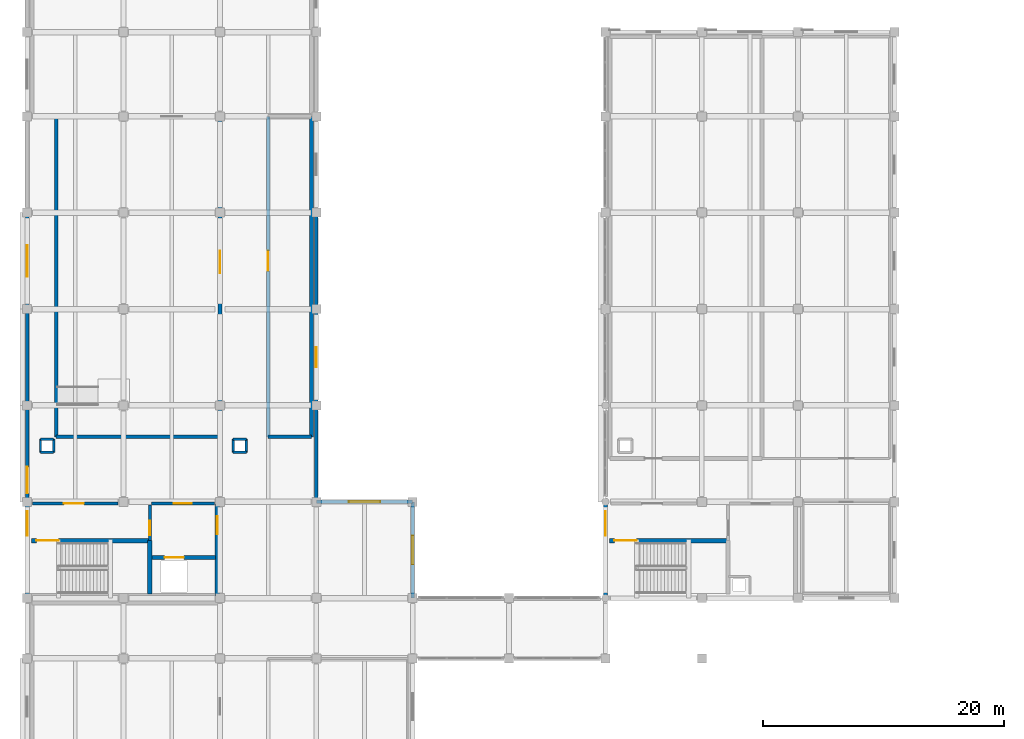
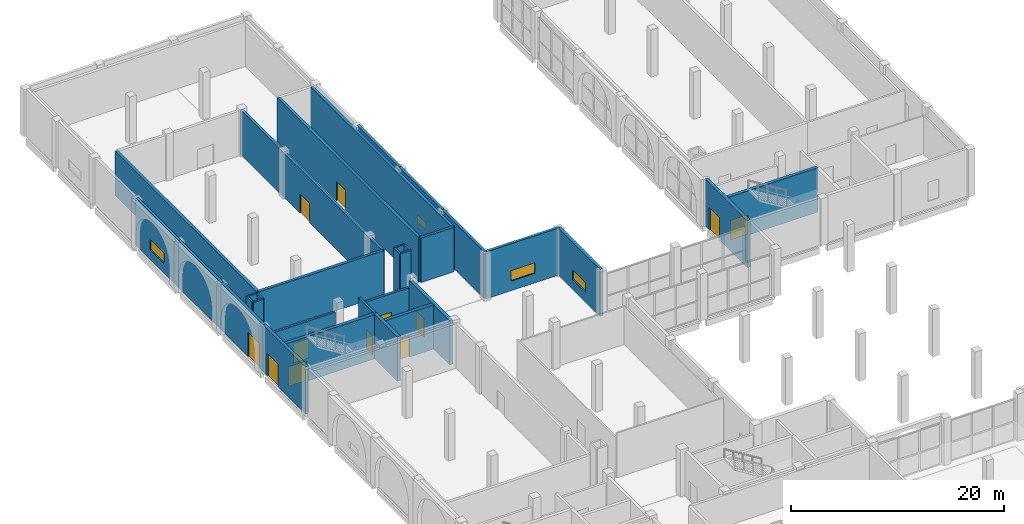
# One storey, part 21 of 40: 32 walls, 12 doors, 4 windows, 16 openings.
"""IFC4 building model written with IfcOpenShell, lengths in metres."""

from ifc_helpers import new_model, si_unit, direction, frame, frame_2d, origin, place, context, subcontext, project, spatial, rectangle, extrude, material, layer, layer_set, type_object, element, fill, save


model = new_model("IFC4")

# Units and contexts
model_context = context("Model", 3, precision=1e-05, world=origin(), true_north=direction((0.0, 1.0)))
body_context = subcontext(model_context, "Body", "Model", "MODEL_VIEW")
ifc_project = project(units=[si_unit("LENGTHUNIT", "METRE"), si_unit("AREAUNIT", "SQUARE_METRE"), si_unit("VOLUMEUNIT", "CUBIC_METRE"), si_unit("PLANEANGLEUNIT", "RADIAN"), si_unit("MASSUNIT", "GRAM", prefix="KILO")], contexts=[model_context])

# Site, building, storey
site_placement = place(None, origin())
site = spatial("IfcSite", under=ifc_project, at=site_placement, CompositionType="ELEMENT")
building_placement = place(site_placement, origin())
building = spatial("IfcBuilding", under=site, at=building_placement, Name="Qorikala Patio Media Centre", CompositionType="ELEMENT")
storey_placement = place(building_placement, origin())
storey = spatial("IfcBuildingStorey", under=building, at=storey_placement, Name="L00", CompositionType="ELEMENT", Elevation=0.0)

# Wall
ifc_material_1 = material(Name="Concrete C35/45", Category="concrete")
ifc_layer_1 = layer(ifc_material_1, 0.300048828125)
ifc_layer_set_1 = layer_set([ifc_layer_1], Name="Concrete C35/45")
wall_type_1 = type_object("IfcWallType", Name="WL-AC-300", PredefinedType="SHEAR", material=ifc_layer_set_1)
wall_1_placement = place(storey_placement, frame((5.39990234375, 77.39990234375, 0.0), z_axis=(0.0, 0.0, 1.0), x_axis=(1.0, 0.0, 0.0)))
element("IfcWall", 1, at=wall_1_placement, inside=storey, type_object=wall_type_1, Name="L00 Interior Wall WINT-L00-BST1-S", PredefinedType="SHEAR", context=body_context, shape_type="SweptSolid", body=[
    extrude(rectangle(XDim=13.60009765625, YDim=0.300048828125, at=frame_2d((6.800048828125, 0.0))), origin(), (0.0, 0.0, 1.0), 5.10009765625),
])

# Wall, opening, door
wall_2_placement = place(storey_placement, frame((19.0, 77.39990234375, 0.0), z_axis=(0.0, 0.0, 1.0), x_axis=(0.0, 1.0, 0.0)))
wall_2 = element("IfcWall", 2, at=wall_2_placement, inside=storey, type_object=wall_type_1, Name="L00 Interior Wall WINT-L00-BST1-E", PredefinedType="SHEAR", context=body_context, shape_type="SweptSolid", body=[
    extrude(rectangle(XDim=26.60009765625, YDim=0.300048828125, at=frame_2d((13.300048828125, 0.0))), origin(), (0.0, 0.0, 1.0), 5.10009765625),
])
opening_1_placement = place(wall_2_placement, frame((13.577880859375, 0.0, 0.0)))
opening_1 = element("IfcOpeningElement", 3, at=opening_1_placement, cuts=wall_2, Name="Opening D243", PredefinedType="OPENING", context=body_context, shape_type="SweptSolid", body=[
    extrude(rectangle(XDim=1.85009765625, YDim=2.25, at=frame_2d((0.925048828125, 1.125))), frame((0.0, 0.159912109375, 0.0), z_axis=(0.0, -1.0, 0.0), x_axis=(1.0, 0.0, 0.0)), (0.0, 0.0, 1.0), 0.320068359375),
])
ifc_material_2 = material(Name="Powder-Coated Acoustic Fire Steel", Category="steel")
door_type_1 = type_object("IfcDoorType", Name="DR-FD60-185X225", OperationType="DOUBLE_DOOR_SINGLE_SWING", PredefinedType="DOOR", material=ifc_material_2)
door_1_placement = place(opening_1_placement, origin())
door_1 = element("IfcDoor", 4, at=door_1_placement, inside=storey, type_object=door_type_1, Name="Live Broadcast Studio 1 Door 032", OperationType="DOUBLE_DOOR_SINGLE_SWING", OverallHeight=2.25, OverallWidth=1.85009765625, PredefinedType="DOOR", context=body_context, shape_type="SweptSolid", body=[
    extrude(rectangle(XDim=1.85009765625, YDim=2.25, at=frame_2d((0.925048828125, 1.125))), frame((0.0, 0.02490234375, 0.0), z_axis=(0.0, -1.0, 0.0), x_axis=(1.0, 0.0, 0.0)), (0.0, 0.0, 1.0), 0.050048828125),
])
fill(opening_1, door_1)

# Walls
wall_3_placement = place(storey_placement, frame((5.39990234375, 77.39990234375, 0.0), z_axis=(0.0, 0.0, 1.0), x_axis=(0.0, 1.0, 0.0)))
element("IfcWall", 5, at=wall_3_placement, inside=storey, type_object=wall_type_1, Name="L00 Interior Wall WINT-L00-BST1-W", PredefinedType="SHEAR", context=body_context, shape_type="SweptSolid", body=[
    extrude(rectangle(XDim=26.60009765625, YDim=0.300048828125, at=frame_2d((13.300048828125, 0.0))), origin(), (0.0, 0.0, 1.0), 5.10009765625),
])
wall_4_placement = place(storey_placement, frame((23.0, 77.39990234375, 0.0), z_axis=(0.0, 0.0, 1.0), x_axis=(1.0, 0.0, 0.0)))
element("IfcWall", 6, at=wall_4_placement, inside=storey, type_object=wall_type_1, Name="L00 Interior Wall WINT-L00-MCR1-S", PredefinedType="SHEAR", context=body_context, shape_type="SweptSolid", body=[
    extrude(rectangle(XDim=3.60009765625, YDim=0.300048828125, at=frame_2d((1.800048828125, 0.0))), origin(), (0.0, 0.0, 1.0), 5.10009765625),
])
wall_5_placement = place(storey_placement, frame((26.60009765625, 77.39990234375, 0.0), z_axis=(0.0, 0.0, 1.0), x_axis=(0.0, 1.0, 0.0)))
element("IfcWall", 7, at=wall_5_placement, inside=storey, type_object=wall_type_1, Name="L00 Interior Wall WINT-L00-MCR1-E", PredefinedType="SHEAR", context=body_context, shape_type="SweptSolid", body=[
    extrude(rectangle(XDim=26.60009765625, YDim=0.300048828125, at=frame_2d((13.300048828125, 0.0))), origin(), (0.0, 0.0, 1.0), 5.10009765625),
])

# Wall, opening, door
wall_6_placement = place(storey_placement, frame((23.0, 77.39990234375, 0.0), z_axis=(0.0, 0.0, 1.0), x_axis=(0.0, 1.0, 0.0)))
wall_6 = element("IfcWall", 8, at=wall_6_placement, inside=storey, type_object=wall_type_1, Name="L00 Interior Wall WINT-L00-MCR1-W", PredefinedType="SHEAR", context=body_context, shape_type="SweptSolid", body=[
    extrude(rectangle(XDim=26.60009765625, YDim=0.300048828125, at=frame_2d((13.300048828125, 0.0))), origin(), (0.0, 0.0, 1.0), 5.10009765625),
])
opening_2_placement = place(wall_6_placement, frame((13.782958984375, 0.0, 0.0)))
opening_2 = element("IfcOpeningElement", 9, at=opening_2_placement, cuts=wall_6, Name="Opening D245", PredefinedType="OPENING", context=body_context, shape_type="SweptSolid", body=[
    extrude(rectangle(XDim=1.64990234375, YDim=2.25, at=frame_2d((0.824951171875, 1.125))), frame((0.0, 0.159912109375, 0.0), z_axis=(0.0, -1.0, 0.0), x_axis=(1.0, 0.0, 0.0)), (0.0, 0.0, 1.0), 0.320068359375),
])
door_type_2 = type_object("IfcDoorType", Name="DR-FD60-165X225", OperationType="DOUBLE_DOOR_SINGLE_SWING", PredefinedType="DOOR", material=ifc_material_2)
door_2_placement = place(opening_2_placement, origin())
door_2 = element("IfcDoor", 10, at=door_2_placement, inside=storey, type_object=door_type_2, Name="Master Broadcast Control Room 1 Door 034", OperationType="DOUBLE_DOOR_SINGLE_SWING", OverallHeight=2.25, OverallWidth=1.64990234375, PredefinedType="DOOR", context=body_context, shape_type="SweptSolid", body=[
    extrude(rectangle(XDim=1.64990234375, YDim=2.25, at=frame_2d((0.824951171875, 1.125))), frame((0.0, 0.02490234375, 0.0), z_axis=(0.0, -1.0, 0.0), x_axis=(1.0, 0.0, 0.0)), (0.0, 0.0, 1.0), 0.050048828125),
])
fill(opening_2, door_2)

ifc_layer_2 = layer(ifc_material_1, 0.35009765625)
ifc_layer_set_2 = layer_set([ifc_layer_2], Name="Concrete C35/45")
wall_type_2 = type_object("IfcWallType", Name="WL-CORE-350", PredefinedType="SHEAR", material=ifc_layer_set_2)
wall_7_placement = place(storey_placement, frame((3.0, 64.0, 0.0), z_axis=(0.0, 0.0, 1.0), x_axis=(0.0, 1.0, 0.0)))
wall_7 = element("IfcWall", 11, at=wall_7_placement, inside=storey, type_object=wall_type_2, Name="L00 Core C3 Exterior Shear Wall", PredefinedType="SHEAR", context=body_context, shape_type="SweptSolid", body=[
    extrude(rectangle(XDim=8.0, YDim=0.35009765625, at=frame_2d((4.0, 0.0))), origin(), (0.0, 0.0, 1.0), 5.39990234375),
])
opening_3_placement = place(wall_7_placement, frame((5.199951171875, 0.0, 0.0)))
opening_3 = element("IfcOpeningElement", 12, at=opening_3_placement, cuts=wall_7, Name="Opening D015", PredefinedType="OPENING", context=body_context, shape_type="SweptSolid", body=[
    extrude(rectangle(XDim=2.0, YDim=2.60009765625, at=frame_2d((1.0, 1.300048828125))), frame((0.0, 0.18505859375, 0.0), z_axis=(0.0, -1.0, 0.0), x_axis=(1.0, 0.0, 0.0)), (0.0, 0.0, 1.0), 0.3701171875),
])
ifc_material_3 = material(Name="Bronze Anodised Steel and Glass", Category="steel")
door_type_3 = type_object("IfcDoorType", Name="DR-EX-200X260", OperationType="DOUBLE_DOOR_SINGLE_SWING", PredefinedType="DOOR", material=ifc_material_3)
door_3_placement = place(opening_3_placement, origin())
door_3 = element("IfcDoor", 13, at=door_3_placement, inside=storey, type_object=door_type_3, Name="Pedestrian Final Exit Door EX-15 (ST-3)", OperationType="DOUBLE_DOOR_SINGLE_SWING", OverallHeight=2.60009765625, OverallWidth=2.0, PredefinedType="DOOR", context=body_context, shape_type="SweptSolid", body=[
    extrude(rectangle(XDim=2.0, YDim=2.60009765625, at=frame_2d((1.0, 1.300048828125))), frame((0.0, 0.02490234375, 0.0), z_axis=(0.0, -1.0, 0.0), x_axis=(1.0, 0.0, 0.0)), (0.0, 0.0, 1.0), 0.050048828125),
])
fill(opening_3, door_3)

wall_8_placement = place(storey_placement, frame((51.0, 64.0, 0.0), z_axis=(0.0, 0.0, 1.0), x_axis=(0.0, 1.0, 0.0)))
wall_8 = element("IfcWall", 14, at=wall_8_placement, inside=storey, type_object=wall_type_2, Name="L00 Core C6 Exterior Shear Wall", PredefinedType="SHEAR", context=body_context, shape_type="SweptSolid", body=[
    extrude(rectangle(XDim=8.0, YDim=0.35009765625, at=frame_2d((4.0, 0.0))), origin(), (0.0, 0.0, 1.0), 5.39990234375),
])
opening_4_placement = place(wall_8_placement, frame((5.199951171875, 0.0, 0.0)))
opening_4 = element("IfcOpeningElement", 15, at=opening_4_placement, cuts=wall_8, Name="Opening D019", PredefinedType="OPENING", context=body_context, shape_type="SweptSolid", body=[
    extrude(rectangle(XDim=2.0, YDim=2.60009765625, at=frame_2d((1.0, 1.300048828125))), frame((0.0, 0.18505859375, 0.0), z_axis=(0.0, -1.0, 0.0), x_axis=(1.0, 0.0, 0.0)), (0.0, 0.0, 1.0), 0.3701171875),
])
door_4_placement = place(opening_4_placement, origin())
door_4 = element("IfcDoor", 16, at=door_4_placement, inside=storey, type_object=door_type_3, Name="Pedestrian Final Exit Door EX-19 (ST-6)", OperationType="DOUBLE_DOOR_SINGLE_SWING", OverallHeight=2.60009765625, OverallWidth=2.0, PredefinedType="DOOR", context=body_context, shape_type="SweptSolid", body=[
    extrude(rectangle(XDim=2.0, YDim=2.60009765625, at=frame_2d((1.0, 1.300048828125))), frame((0.0, 0.02490234375, 0.0), z_axis=(0.0, -1.0, 0.0), x_axis=(1.0, 0.0, 0.0)), (0.0, 0.0, 1.0), 0.050048828125),
])
fill(opening_4, door_4)

# Wall
wall_9_placement = place(storey_placement, frame((13.175048828125, 64.35009765625, 0.0), z_axis=(0.0, 0.0, 1.0), x_axis=(0.0, 1.0, 0.0)))
element("IfcWall", 17, at=wall_9_placement, inside=storey, type_object=wall_type_2, Name="L00 Interior Wall CW-L00-C3-SE", PredefinedType="SHEAR", context=body_context, shape_type="SweptSolid", body=[
    extrude(rectangle(XDim=4.4248046875, YDim=0.35009765625, at=frame_2d((2.21240234375, 0.0))), origin(), (0.0, 0.0, 1.0), 5.10009765625),
])

# Wall, opening, door
wall_10_placement = place(storey_placement, frame((18.77490234375, 64.199951171875, 0.0), z_axis=(0.0, 0.0, 1.0), x_axis=(0.0, 1.0, 0.0)))
wall_10 = element("IfcWall", 18, at=wall_10_placement, inside=storey, type_object=wall_type_2, Name="L00 Interior Wall CW-L00-C3-EE", PredefinedType="SHEAR", context=body_context, shape_type="SweptSolid", body=[
    extrude(rectangle(XDim=7.60009765625, YDim=0.35009765625, at=frame_2d((3.800048828125, 0.0))), origin(), (0.0, 0.0, 1.0), 5.10009765625),
])
opening_5_placement = place(wall_10_placement, frame((5.10009765625, 0.0, 0.0)))
opening_5 = element("IfcOpeningElement", 19, at=opening_5_placement, cuts=wall_10, Name="Opening D100", PredefinedType="OPENING", context=body_context, shape_type="SweptSolid", body=[
    extrude(rectangle(XDim=1.5, YDim=2.199951171875, at=frame_2d((0.75, 1.10009765625))), frame((0.0, 0.18505859375, 0.0), z_axis=(0.0, -1.0, 0.0), x_axis=(1.0, 0.0, 0.0)), (0.0, 0.0, 1.0), 0.3701171875),
])
door_type_4 = type_object("IfcDoorType", Name="DR-FD60-150X220", OperationType="DOUBLE_DOOR_SINGLE_SWING", PredefinedType="DOOR", material=ifc_material_2)
door_5_placement = place(opening_5_placement, origin())
door_5 = element("IfcDoor", 20, at=door_5_placement, inside=storey, type_object=door_type_4, Name="L00 Core C3 East Corridor Fire Door", OperationType="DOUBLE_DOOR_SINGLE_SWING", OverallHeight=2.199951171875, OverallWidth=1.5, PredefinedType="DOOR", context=body_context, shape_type="SweptSolid", body=[
    extrude(rectangle(XDim=1.5, YDim=2.199951171875, at=frame_2d((0.75, 1.10009765625))), frame((0.0, 0.02490234375, 0.0), z_axis=(0.0, -1.0, 0.0), x_axis=(1.0, 0.0, 0.0)), (0.0, 0.0, 1.0), 0.050048828125),
])
fill(opening_5, door_5)

wall_11_placement = place(storey_placement, frame((3.35009765625, 68.77490234375, 0.0), z_axis=(0.0, 0.0, 1.0), x_axis=(1.0, 0.0, 0.0)))
wall_11 = element("IfcWall", 21, at=wall_11_placement, inside=storey, type_object=wall_type_2, Name="L00 Interior Wall CW-L00-C3-SN", PredefinedType="SHEAR", context=body_context, shape_type="SweptSolid", body=[
    extrude(rectangle(XDim=9.824951171875, YDim=0.35009765625, at=frame_2d((4.91259765625, 0.0))), origin(), (0.0, 0.0, 1.0), 5.10009765625),
])
opening_6_placement = place(wall_11_placement, frame((0.39990234375, 0.0, 0.0)))
opening_6 = element("IfcOpeningElement", 22, at=opening_6_placement, cuts=wall_11, Name="Opening D096", PredefinedType="OPENING", context=body_context, shape_type="SweptSolid", body=[
    extrude(rectangle(XDim=1.85009765625, YDim=2.25, at=frame_2d((0.925048828125, 1.125))), frame((0.0, 0.18505859375, 0.0), z_axis=(0.0, -1.0, 0.0), x_axis=(1.0, 0.0, 0.0)), (0.0, 0.0, 1.0), 0.3701171875),
])
door_6_placement = place(opening_6_placement, frame((1.85009765625, 0.0, 0.0), z_axis=(0.0, 0.0, 1.0), x_axis=(-1.0, 0.0, 0.0)))
door_6 = element("IfcDoor", 23, at=door_6_placement, inside=storey, type_object=door_type_1, Name="L00 Stair ST-3 Fire Door", OperationType="DOUBLE_DOOR_SINGLE_SWING", OverallHeight=2.25, OverallWidth=1.85009765625, PredefinedType="DOOR", context=body_context, shape_type="SweptSolid", body=[
    extrude(rectangle(XDim=1.85009765625, YDim=2.25, at=frame_2d((0.925048828125, 1.125))), frame((0.0, 0.02490234375, 0.0), z_axis=(0.0, -1.0, 0.0), x_axis=(1.0, 0.0, 0.0)), (0.0, 0.0, 1.0), 0.050048828125),
])
fill(opening_6, door_6)

wall_12_placement = place(storey_placement, frame((13.175048828125, 67.375, 0.0), z_axis=(0.0, 0.0, 1.0), x_axis=(1.0, 0.0, 0.0)))
wall_12 = element("IfcWall", 24, at=wall_12_placement, inside=storey, type_object=wall_type_2, Name="L00 Interior Wall CW-L00-C3-LFN", PredefinedType="SHEAR", context=body_context, shape_type="SweptSolid", body=[
    extrude(rectangle(XDim=5.474853515625, YDim=0.35009765625, at=frame_2d((2.7373046875, 0.0))), origin(), (0.0, 0.0, 1.0), 5.10009765625),
])
opening_7_placement = place(wall_12_placement, frame((1.22509765625, 0.0, 0.0)))
opening_7 = element("IfcOpeningElement", 25, at=opening_7_placement, cuts=wall_12, Name="Opening LD25", PredefinedType="OPENING", context=body_context, shape_type="SweptSolid", body=[
    extrude(rectangle(XDim=1.60009765625, YDim=2.39990234375, at=frame_2d((0.800048828125, 1.199951171875))), frame((0.0, 0.18505859375, 0.0), z_axis=(0.0, -1.0, 0.0), x_axis=(1.0, 0.0, 0.0)), (0.0, 0.0, 1.0), 0.3701171875),
])
ifc_material_4 = material(Name="Heavy Stainless Steel Freight", Category="steel")
door_type_5 = type_object("IfcDoorType", Name="DR-LD-160X240", OperationType="DOUBLE_DOOR_SLIDING", PredefinedType="DOOR", material=ifc_material_4)
door_7_placement = place(opening_7_placement, origin())
door_7 = element("IfcDoor", 26, at=door_7_placement, inside=storey, type_object=door_type_5, Name="L00 Lift LS-01 Sliding Landing Door", OperationType="DOUBLE_DOOR_SLIDING", OverallHeight=2.39990234375, OverallWidth=1.60009765625, PredefinedType="DOOR", context=body_context, shape_type="SweptSolid", body=[
    extrude(rectangle(XDim=1.60009765625, YDim=2.39990234375, at=frame_2d((0.800048828125, 1.199951171875))), frame((0.0, 0.02490234375, 0.0), z_axis=(0.0, -1.0, 0.0), x_axis=(1.0, 0.0, 0.0)), (0.0, 0.0, 1.0), 0.050048828125),
])
fill(opening_7, door_7)

wall_13_placement = place(storey_placement, frame((51.35009765625, 68.77490234375, 0.0), z_axis=(0.0, 0.0, 1.0), x_axis=(1.0, 0.0, 0.0)))
wall_13 = element("IfcWall", 27, at=wall_13_placement, inside=storey, type_object=wall_type_2, Name="L00 Interior Wall CW-L00-C6-SN", PredefinedType="SHEAR", context=body_context, shape_type="SweptSolid", body=[
    extrude(rectangle(XDim=9.824951171875, YDim=0.35009765625, at=frame_2d((4.91259765625, 0.0))), origin(), (0.0, 0.0, 1.0), 5.10009765625),
])
opening_8_placement = place(wall_13_placement, frame((0.39990234375, 0.0, 0.0)))
opening_8 = element("IfcOpeningElement", 28, at=opening_8_placement, cuts=wall_13, Name="Opening D180", PredefinedType="OPENING", context=body_context, shape_type="SweptSolid", body=[
    extrude(rectangle(XDim=1.85009765625, YDim=2.25, at=frame_2d((0.925048828125, 1.125))), frame((0.0, 0.18505859375, 0.0), z_axis=(0.0, -1.0, 0.0), x_axis=(1.0, 0.0, 0.0)), (0.0, 0.0, 1.0), 0.3701171875),
])
door_8_placement = place(opening_8_placement, frame((1.85009765625, 0.0, 0.0), z_axis=(0.0, 0.0, 1.0), x_axis=(-1.0, 0.0, 0.0)))
door_8 = element("IfcDoor", 29, at=door_8_placement, inside=storey, type_object=door_type_1, Name="L00 Stair ST-6 Fire Door", OperationType="DOUBLE_DOOR_SINGLE_SWING", OverallHeight=2.25, OverallWidth=1.85009765625, PredefinedType="DOOR", context=body_context, shape_type="SweptSolid", body=[
    extrude(rectangle(XDim=1.85009765625, YDim=2.25, at=frame_2d((0.925048828125, 1.125))), frame((0.0, 0.02490234375, 0.0), z_axis=(0.0, -1.0, 0.0), x_axis=(1.0, 0.0, 0.0)), (0.0, 0.0, 1.0), 0.050048828125),
])
fill(opening_8, door_8)

# Wall, opening, window
ifc_material_5 = material(Name="Ivory Lime Stucco and Concrete C35/45", Category="concrete")
ifc_layer_3 = layer(ifc_material_5, 0.320068359375)
ifc_layer_set_3 = layer_set([ifc_layer_3], Name="Ivory Lime Stucco and Concrete C35/45")
wall_type_3 = type_object("IfcWallType", Name="WL-EXT-320", PredefinedType="SOLIDWALL", material=ifc_layer_set_3)
wall_14_placement = place(storey_placement, frame((35.0, 72.0, 0.0), z_axis=(0.0, 0.0, 1.0), x_axis=(0.0, -1.0, 0.0)))
wall_14 = element("IfcWall", 30, at=wall_14_placement, inside=storey, type_object=wall_type_3, Name="L00 Exterior Wall WL-L00-EXT-0071", PredefinedType="SOLIDWALL", context=body_context, shape_type="SweptSolid", body=[
    extrude(rectangle(XDim=8.0, YDim=0.320068359375, at=frame_2d((4.0, 0.0))), origin(), (0.0, 0.0, 1.0), 5.39990234375),
])
opening_9_placement = place(wall_14_placement, frame((2.800048828125, 0.0, 1.10009765625)))
opening_9 = element("IfcOpeningElement", 31, at=opening_9_placement, cuts=wall_14, Name="Opening WL-240", PredefinedType="OPENING", context=body_context, shape_type="SweptSolid", body=[
    extrude(rectangle(XDim=2.39990234375, YDim=1.10009765625, at=frame_2d((1.199951171875, 0.550048828125))), frame((0.0, 0.169921875, 0.0), z_axis=(0.0, -1.0, 0.0), x_axis=(1.0, 0.0, 0.0)), (0.0, 0.0, 1.0), 0.340087890625),
])
ifc_material_6 = material(Name="Acoustic Laminated Low-E Glass", Category="glass")
window_type_1 = type_object("IfcWindowType", Name="WN-CL-240X110", PartitioningType="SINGLE_PANEL", PredefinedType="WINDOW", material=ifc_material_6)
window_1_placement = place(opening_9_placement, origin())
window_1 = element("IfcWindow", 32, at=window_1_placement, inside=storey, type_object=window_type_1, Name="L00 High Acoustic Clerestory Window 0051", OverallHeight=1.10009765625, OverallWidth=2.39990234375, PartitioningType="SINGLE_PANEL", PredefinedType="WINDOW", context=body_context, shape_type="SweptSolid", body=[
    extrude(rectangle(XDim=2.39990234375, YDim=1.10009765625, at=frame_2d((1.199951171875, 0.550048828125))), frame((0.0, 0.030029296875, 0.0), z_axis=(0.0, -1.0, 0.0), x_axis=(1.0, 0.0, 0.0)), (0.0, 0.0, 1.0), 0.06005859375),
])
fill(opening_9, window_1)

# Wall, opening, door
ifc_layer_4 = layer(ifc_material_1, 0.25)
ifc_layer_set_4 = layer_set([ifc_layer_4], Name="Concrete C35/45")
wall_type_4 = type_object("IfcWallType", Name="WL-FFL-250", PredefinedType="PARTITIONING", material=ifc_layer_set_4)
wall_15_placement = place(storey_placement, frame((13.175048828125, 68.77490234375, 0.0), z_axis=(0.0, 0.0, 1.0), x_axis=(0.0, 1.0, 0.0)))
wall_15 = element("IfcWall", 33, at=wall_15_placement, inside=storey, type_object=wall_type_4, Name="L00 Interior Wall CW-L00-C3-LBD", PredefinedType="PARTITIONING", context=body_context, shape_type="SweptSolid", body=[
    extrude(rectangle(XDim=2.97509765625, YDim=0.25, at=frame_2d((1.487548828125, 0.0))), origin(), (0.0, 0.0, 1.0), 5.10009765625),
])
opening_10_placement = place(wall_15_placement, frame((0.449951171875, 0.0, 0.0)))
opening_10 = element("IfcOpeningElement", 34, at=opening_10_placement, cuts=wall_15, Name="Opening D097", PredefinedType="OPENING", context=body_context, shape_type="SweptSolid", body=[
    extrude(rectangle(XDim=1.199951171875, YDim=2.199951171875, at=frame_2d((0.60009765625, 1.10009765625))), frame((0.0, 0.135009765625, 0.0), z_axis=(0.0, -1.0, 0.0), x_axis=(1.0, 0.0, 0.0)), (0.0, 0.0, 1.0), 0.27001953125),
])
ifc_material_7 = material(Name="Acoustic Fire Timber and Steel", Category="steel")
door_type_6 = type_object("IfcDoorType", Name="DR-FD60-120X220", OperationType="NOTDEFINED", PredefinedType="DOOR", material=ifc_material_7)
door_9_placement = place(opening_10_placement, origin())
door_9 = element("IfcDoor", 35, at=door_9_placement, inside=storey, type_object=door_type_6, Name="L00 Core C3 Firefighting Lobby Cross Door", OperationType="SINGLE_SWING_RIGHT", OverallHeight=2.199951171875, OverallWidth=1.199951171875, PredefinedType="DOOR", context=body_context, shape_type="SweptSolid", body=[
    extrude(rectangle(XDim=1.199951171875, YDim=2.199951171875, at=frame_2d((0.60009765625, 1.10009765625))), frame((0.0, 0.02490234375, 0.0), z_axis=(0.0, -1.0, 0.0), x_axis=(1.0, 0.0, 0.0)), (0.0, 0.0, 1.0), 0.050048828125),
])
fill(opening_10, door_9)

wall_16_placement = place(storey_placement, frame((3.449951171875, 71.85009765625, 0.0), z_axis=(0.0, 0.0, 1.0), x_axis=(1.0, 0.0, 0.0)))
wall_16 = element("IfcWall", 36, at=wall_16_placement, inside=storey, type_object=wall_type_4, Name="L00 Interior Wall CW-L00-C3-CN1", PredefinedType="PARTITIONING", context=body_context, shape_type="SweptSolid", body=[
    extrude(rectangle(XDim=7.10009765625, YDim=0.25, at=frame_2d((3.550048828125, 0.0))), origin(), (0.0, 0.0, 1.0), 4.3349609375),
])
opening_11_placement = place(wall_16_placement, frame((2.60009765625, 0.0, 0.0)))
opening_11 = element("IfcOpeningElement", 37, at=opening_11_placement, cuts=wall_16, Name="Opening D098", PredefinedType="OPENING", context=body_context, shape_type="SweptSolid", body=[
    extrude(rectangle(XDim=1.64990234375, YDim=2.25, at=frame_2d((0.824951171875, 1.125))), frame((0.0, 0.135009765625, 0.0), z_axis=(0.0, -1.0, 0.0), x_axis=(1.0, 0.0, 0.0)), (0.0, 0.0, 1.0), 0.27001953125),
])
door_10_placement = place(opening_11_placement, frame((1.64990234375, 0.0, 0.0), z_axis=(0.0, 0.0, 1.0), x_axis=(-1.0, 0.0, 0.0)))
door_10 = element("IfcDoor", 38, at=door_10_placement, inside=storey, type_object=door_type_2, Name="L00 Core C3 Vestibule Door", OperationType="DOUBLE_DOOR_SINGLE_SWING", OverallHeight=2.25, OverallWidth=1.64990234375, PredefinedType="DOOR", context=body_context, shape_type="SweptSolid", body=[
    extrude(rectangle(XDim=1.64990234375, YDim=2.25, at=frame_2d((0.824951171875, 1.125))), frame((0.0, 0.02490234375, 0.0), z_axis=(0.0, -1.0, 0.0), x_axis=(1.0, 0.0, 0.0)), (0.0, 0.0, 1.0), 0.050048828125),
])
fill(opening_11, door_10)

wall_17_placement = place(storey_placement, frame((13.300048828125, 71.85009765625, 0.0), z_axis=(0.0, 0.0, 1.0), x_axis=(1.0, 0.0, 0.0)))
wall_17 = element("IfcWall", 39, at=wall_17_placement, inside=storey, type_object=wall_type_4, Name="L00 Interior Wall CW-L00-C3-CN2", PredefinedType="PARTITIONING", context=body_context, shape_type="SweptSolid", body=[
    extrude(rectangle(XDim=5.25, YDim=0.25, at=frame_2d((2.625, 0.0))), origin(), (0.0, 0.0, 1.0), 4.3349609375),
])
opening_12_placement = place(wall_17_placement, frame((1.85009765625, 0.0, 0.0)))
opening_12 = element("IfcOpeningElement", 40, at=opening_12_placement, cuts=wall_17, Name="Opening D099", PredefinedType="OPENING", context=body_context, shape_type="SweptSolid", body=[
    extrude(rectangle(XDim=1.5, YDim=2.199951171875, at=frame_2d((0.75, 1.10009765625))), frame((0.0, 0.135009765625, 0.0), z_axis=(0.0, -1.0, 0.0), x_axis=(1.0, 0.0, 0.0)), (0.0, 0.0, 1.0), 0.27001953125),
])
door_11_placement = place(opening_12_placement, origin())
door_11 = element("IfcDoor", 41, at=door_11_placement, inside=storey, type_object=door_type_4, Name="L00 Core C3 Firefighting Lobby Door", OperationType="DOUBLE_DOOR_SINGLE_SWING", OverallHeight=2.199951171875, OverallWidth=1.5, PredefinedType="DOOR", context=body_context, shape_type="SweptSolid", body=[
    extrude(rectangle(XDim=1.5, YDim=2.199951171875, at=frame_2d((0.75, 1.10009765625))), frame((0.0, 0.02490234375, 0.0), z_axis=(0.0, -1.0, 0.0), x_axis=(1.0, 0.0, 0.0)), (0.0, 0.0, 1.0), 0.050048828125),
])
fill(opening_12, door_11)

ifc_material_8 = material(Name="Warm Ochre Lime Stucco and Concrete C35/45", Category="concrete")
ifc_layer_5 = layer(ifc_material_8, 0.280029296875)
ifc_layer_set_5 = layer_set([ifc_layer_5], Name="Warm Ochre Lime Stucco and Concrete C35/45")
wall_type_5 = type_object("IfcWallType", Name="WL-OCHRE-280", PredefinedType="SOLIDWALL", material=ifc_layer_set_5)
wall_18_placement = place(storey_placement, frame((3.0, 72.0, 0.0), z_axis=(0.0, 0.0, 1.0), x_axis=(0.0, 1.0, 0.0)))
wall_18 = element("IfcWall", 42, at=wall_18_placement, inside=storey, type_object=wall_type_5, Name="L00 Exterior Wall WL-L00-EXT-0055", PredefinedType="SOLIDWALL", context=body_context, shape_type="SweptSolid", body=[
    extrude(rectangle(XDim=8.0, YDim=0.280029296875, at=frame_2d((4.0, 0.0))), origin(), (0.0, 0.0, 1.0), 5.39990234375),
])
opening_13_placement = place(wall_18_placement, frame((0.699951171875, 0.0, 0.0)))
opening_13 = element("IfcOpeningElement", 43, at=opening_13_placement, cuts=wall_18, Name="Opening D016", PredefinedType="OPENING", context=body_context, shape_type="SweptSolid", body=[
    extrude(rectangle(XDim=2.199951171875, YDim=2.800048828125, at=frame_2d((1.10009765625, 1.39990234375))), frame((0.0, 0.14990234375, 0.0), z_axis=(0.0, -1.0, 0.0), x_axis=(1.0, 0.0, 0.0)), (0.0, 0.0, 1.0), 0.300048828125),
])
door_type_7 = type_object("IfcDoorType", Name="DR-EX-220X280", OperationType="DOUBLE_DOOR_SINGLE_SWING", PredefinedType="DOOR", material=ifc_material_3)
door_12_placement = place(opening_13_placement, origin())
door_12 = element("IfcDoor", 44, at=door_12_placement, inside=storey, type_object=door_type_7, Name="Main Pedestrian Entrance and Exit Door EX-16", OperationType="DOUBLE_DOOR_SINGLE_SWING", OverallHeight=2.800048828125, OverallWidth=2.199951171875, PredefinedType="DOOR", context=body_context, shape_type="SweptSolid", body=[
    extrude(rectangle(XDim=2.199951171875, YDim=2.800048828125, at=frame_2d((1.10009765625, 1.39990234375))), frame((0.0, 0.02490234375, 0.0), z_axis=(0.0, -1.0, 0.0), x_axis=(1.0, 0.0, 0.0)), (0.0, 0.0, 1.0), 0.050048828125),
])
fill(opening_13, door_12)

# Wall
wall_19_placement = place(storey_placement, frame((3.0, 80.0, 0.0), z_axis=(0.0, 0.0, 1.0), x_axis=(0.0, 1.0, 0.0)))
element("IfcWall", 45, at=wall_19_placement, inside=storey, type_object=wall_type_5, Name="L00 Exterior Wall WL-L00-EXT-0056", PredefinedType="SOLIDWALL", context=body_context, shape_type="SweptSolid", body=[
    extrude(rectangle(XDim=8.0, YDim=0.280029296875, at=frame_2d((4.0, 0.0))), origin(), (0.0, 0.0, 1.0), 5.39990234375),
])

# Wall, opening, window
wall_20_placement = place(storey_placement, frame((3.0, 88.0, 0.0), z_axis=(0.0, 0.0, 1.0), x_axis=(0.0, 1.0, 0.0)))
wall_20 = element("IfcWall", 46, at=wall_20_placement, inside=storey, type_object=wall_type_5, Name="L00 Exterior Wall WL-L00-EXT-0057", PredefinedType="SOLIDWALL", context=body_context, shape_type="SweptSolid", body=[
    extrude(rectangle(XDim=8.0, YDim=0.280029296875, at=frame_2d((4.0, 0.0))), origin(), (0.0, 0.0, 1.0), 5.39990234375),
])
opening_14_placement = place(wall_20_placement, frame((2.699951171875, 0.0, 1.10009765625)))
opening_14 = element("IfcOpeningElement", 47, at=opening_14_placement, cuts=wall_20, Name="Opening WL-260", PredefinedType="OPENING", context=body_context, shape_type="SweptSolid", body=[
    extrude(rectangle(XDim=2.60009765625, YDim=1.199951171875, at=frame_2d((1.300048828125, 0.60009765625))), frame((0.0, 0.14990234375, 0.0), z_axis=(0.0, -1.0, 0.0), x_axis=(1.0, 0.0, 0.0)), (0.0, 0.0, 1.0), 0.300048828125),
])
window_type_2 = type_object("IfcWindowType", Name="WN-CL-260X120", PartitioningType="SINGLE_PANEL", PredefinedType="WINDOW", material=ifc_material_6)
window_2_placement = place(opening_14_placement, origin())
window_2 = element("IfcWindow", 48, at=window_2_placement, inside=storey, type_object=window_type_2, Name="L00 High Acoustic Clerestory Window 0043", OverallHeight=1.199951171875, OverallWidth=2.60009765625, PartitioningType="SINGLE_PANEL", PredefinedType="WINDOW", context=body_context, shape_type="SweptSolid", body=[
    extrude(rectangle(XDim=2.60009765625, YDim=1.199951171875, at=frame_2d((1.300048828125, 0.60009765625))), frame((0.0, 0.030029296875, 0.0), z_axis=(0.0, -1.0, 0.0), x_axis=(1.0, 0.0, 0.0)), (0.0, 0.0, 1.0), 0.06005859375),
])
fill(opening_14, window_2)

# Wall
wall_21_placement = place(storey_placement, frame((27.0, 96.0, 0.0), z_axis=(0.0, 0.0, 1.0), x_axis=(0.0, -1.0, 0.0)))
element("IfcWall", 49, at=wall_21_placement, inside=storey, type_object=wall_type_5, Name="L00 Exterior Wall WL-L00-EXT-0067", PredefinedType="SOLIDWALL", context=body_context, shape_type="SweptSolid", body=[
    extrude(rectangle(XDim=8.0, YDim=0.280029296875, at=frame_2d((4.0, 0.0))), origin(), (0.0, 0.0, 1.0), 5.39990234375),
])

# Wall, opening, window
wall_22_placement = place(storey_placement, frame((27.0, 88.0, 0.0), z_axis=(0.0, 0.0, 1.0), x_axis=(0.0, -1.0, 0.0)))
wall_22 = element("IfcWall", 50, at=wall_22_placement, inside=storey, type_object=wall_type_5, Name="L00 Exterior Wall WL-L00-EXT-0068", PredefinedType="SOLIDWALL", context=body_context, shape_type="SweptSolid", body=[
    extrude(rectangle(XDim=8.0, YDim=0.280029296875, at=frame_2d((4.0, 0.0))), origin(), (0.0, 0.0, 1.0), 5.39990234375),
])
opening_15_placement = place(wall_22_placement, frame((3.175048828125, 0.0, 1.10009765625)))
opening_15 = element("IfcOpeningElement", 51, at=opening_15_placement, cuts=wall_22, Name="Opening WL-165", PredefinedType="OPENING", context=body_context, shape_type="SweptSolid", body=[
    extrude(rectangle(XDim=1.64990234375, YDim=0.800048828125, at=frame_2d((0.824951171875, 0.39990234375))), frame((0.0, 0.14990234375, 0.0), z_axis=(0.0, -1.0, 0.0), x_axis=(1.0, 0.0, 0.0)), (0.0, 0.0, 1.0), 0.300048828125),
])
window_type_3 = type_object("IfcWindowType", Name="WN-CL-165X080", PartitioningType="SINGLE_PANEL", PredefinedType="WINDOW", material=ifc_material_6)
window_3_placement = place(opening_15_placement, origin())
window_3 = element("IfcWindow", 52, at=window_3_placement, inside=storey, type_object=window_type_3, Name="L00 High Acoustic Clerestory Window 0049", OverallHeight=0.800048828125, OverallWidth=1.64990234375, PartitioningType="SINGLE_PANEL", PredefinedType="WINDOW", context=body_context, shape_type="SweptSolid", body=[
    extrude(rectangle(XDim=1.64990234375, YDim=0.800048828125, at=frame_2d((0.824951171875, 0.39990234375))), frame((0.0, 0.030029296875, 0.0), z_axis=(0.0, -1.0, 0.0), x_axis=(1.0, 0.0, 0.0)), (0.0, 0.0, 1.0), 0.06005859375),
])
fill(opening_15, window_3)

# Wall
wall_23_placement = place(storey_placement, frame((27.0, 80.0, 0.0), z_axis=(0.0, 0.0, 1.0), x_axis=(0.0, -1.0, 0.0)))
element("IfcWall", 53, at=wall_23_placement, inside=storey, type_object=wall_type_5, Name="L00 Exterior Wall WL-L00-EXT-0069", PredefinedType="SOLIDWALL", context=body_context, shape_type="SweptSolid", body=[
    extrude(rectangle(XDim=8.0, YDim=0.280029296875, at=frame_2d((4.0, 0.0))), origin(), (0.0, 0.0, 1.0), 5.39990234375),
])

# Wall, opening, window
wall_24_placement = place(storey_placement, frame((27.0, 72.0, 0.0), z_axis=(0.0, 0.0, 1.0), x_axis=(1.0, 0.0, 0.0)))
wall_24 = element("IfcWall", 54, at=wall_24_placement, inside=storey, type_object=wall_type_5, Name="L00 Exterior Wall WL-L00-EXT-0070", PredefinedType="SOLIDWALL", context=body_context, shape_type="SweptSolid", body=[
    extrude(rectangle(XDim=8.0, YDim=0.280029296875, at=frame_2d((4.0, 0.0))), origin(), (0.0, 0.0, 1.0), 5.39990234375),
])
opening_16_placement = place(wall_24_placement, frame((2.699951171875, 0.0, 1.10009765625)))
opening_16 = element("IfcOpeningElement", 55, at=opening_16_placement, cuts=wall_24, Name="Opening WL-260", PredefinedType="OPENING", context=body_context, shape_type="SweptSolid", body=[
    extrude(rectangle(XDim=2.60009765625, YDim=1.199951171875, at=frame_2d((1.300048828125, 0.60009765625))), frame((0.0, 0.14990234375, 0.0), z_axis=(0.0, -1.0, 0.0), x_axis=(1.0, 0.0, 0.0)), (0.0, 0.0, 1.0), 0.300048828125),
])
window_4_placement = place(opening_16_placement, origin())
window_4 = element("IfcWindow", 56, at=window_4_placement, inside=storey, type_object=window_type_2, Name="L00 High Acoustic Clerestory Window 0050", OverallHeight=1.199951171875, OverallWidth=2.60009765625, PartitioningType="SINGLE_PANEL", PredefinedType="WINDOW", context=body_context, shape_type="SweptSolid", body=[
    extrude(rectangle(XDim=2.60009765625, YDim=1.199951171875, at=frame_2d((1.300048828125, 0.60009765625))), frame((0.0, 0.030029296875, 0.0), z_axis=(0.0, -1.0, 0.0), x_axis=(1.0, 0.0, 0.0)), (0.0, 0.0, 1.0), 0.06005859375),
])
fill(opening_16, window_4)

# Walls
ifc_material_9 = material(Name="Acoustic Masonry and Plaster Concrete C30/37", Category="masonry")
ifc_layer_6 = layer(ifc_material_9, 0.199951171875)
ifc_layer_set_6 = layer_set([ifc_layer_6], Name="Acoustic Masonry and Plaster Concrete C30/37")
wall_type_6 = type_object("IfcWallType", Name="WL-ST-200", PredefinedType="PARTITIONING", material=ifc_layer_set_6)
for number, where, z_axis, x_axis, name in (
    (57, (4.10009765625, 76.10009765625, 0.0), (0.0, 0.0, 1.0), (1.0, 0.0, 0.0), "L00 Interior Wall RSW-5-L00-S"),
    (58, (4.10009765625, 77.199951171875, 0.0), (0.0, 0.0, 1.0), (1.0, 0.0, 0.0), "L00 Interior Wall RSW-5-L00-N"),
    (59, (4.10009765625, 76.10009765625, 0.0), (0.0, 0.0, 1.0), (0.0, 1.0, 0.0), "L00 Interior Wall RSW-5-L00-W"),
    (60, (5.199951171875, 76.10009765625, 0.0), (0.0, 0.0, 1.0), (0.0, 1.0, 0.0), "L00 Interior Wall RSW-5-L00-E"),
    (61, (20.10009765625, 76.10009765625, 0.0), (0.0, 0.0, 1.0), (1.0, 0.0, 0.0), "L00 Interior Wall RSW-6-L00-S"),
    (62, (20.10009765625, 77.199951171875, 0.0), (0.0, 0.0, 1.0), (1.0, 0.0, 0.0), "L00 Interior Wall RSW-6-L00-N"),
    (63, (20.10009765625, 76.10009765625, 0.0), (0.0, 0.0, 1.0), (0.0, 1.0, 0.0), "L00 Interior Wall RSW-6-L00-W"),
    (64, (21.199951171875, 76.10009765625, 0.0), (0.0, 0.0, 1.0), (0.0, 1.0, 0.0), "L00 Interior Wall RSW-6-L00-E"),
):
    element("IfcWall", number, at=place(storey_placement, frame(where, z_axis=z_axis, x_axis=x_axis)), inside=storey, type_object=wall_type_6, Name=name, PredefinedType="PARTITIONING", context=body_context, shape_type="SweptSolid", body=[
        extrude(rectangle(XDim=1.099853515625, YDim=0.199951171875, at=frame_2d((0.5498046875, 0.0))), origin(), (0.0, 0.0, 1.0), 5.10009765625),
    ])

save(model, "model.ifc")
